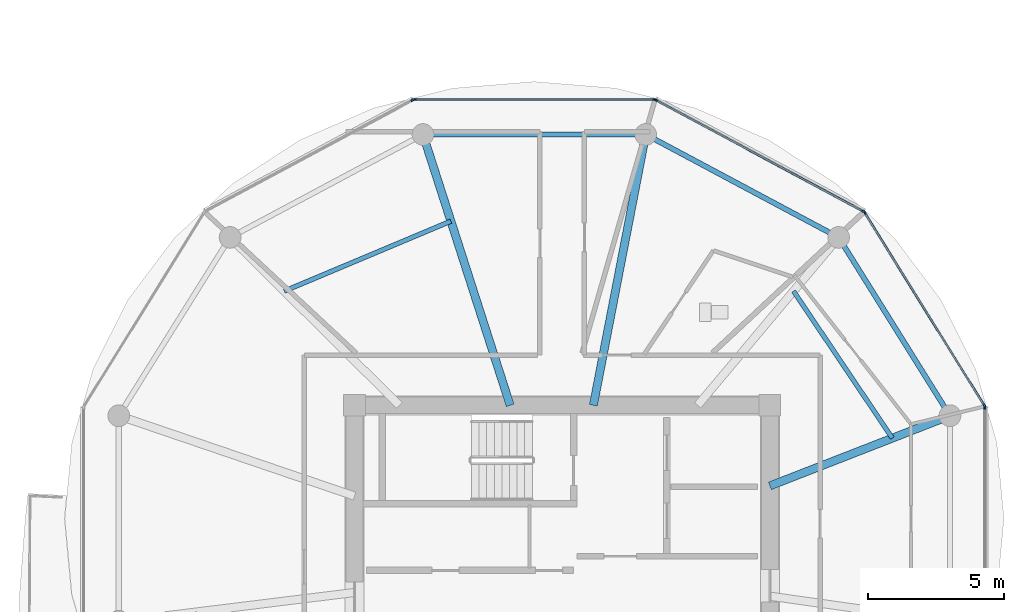
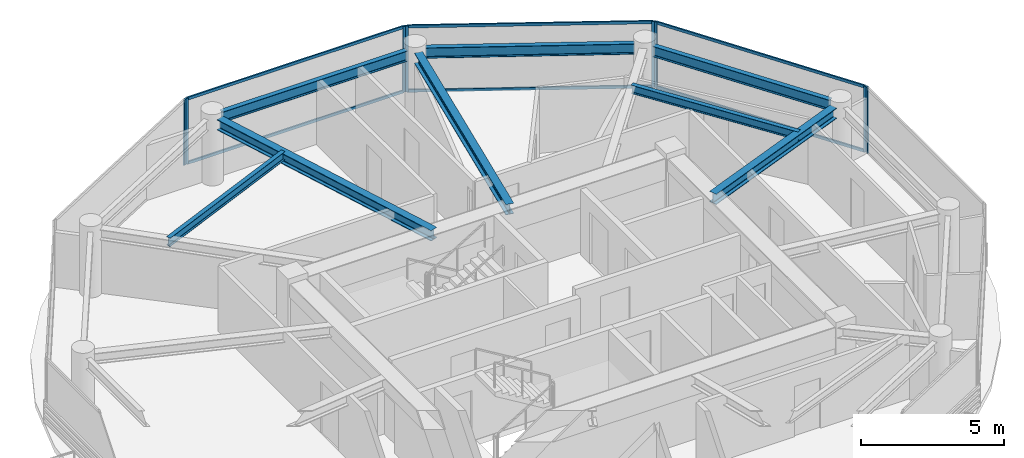
# One storey, part 10 of 21: 14 members, 8 beams, 5 elements without a shape of their own.
"""IFC4 building model written with IfcOpenShell, lengths in metres."""

from ifc_helpers import new_model, si_unit, direction, frame, origin, origin_2d, place, context, subcontext, project, spatial, rectangle, i_section, extrude, source, transform, mapped, material, layer, layer_set, material_profile, profile_set, type_object, type_shapes, element, aggregate, save


model = new_model("IFC4")

# Units and contexts
model_context = context("Model", 3, precision=1e-05, world=origin(), true_north=direction((0.0, 1.0)))
body_context = subcontext(model_context, "Body", "Model", "MODEL_VIEW")
ifc_project = project(units=[si_unit("LENGTHUNIT", "METRE"), si_unit("AREAUNIT", "SQUARE_METRE"), si_unit("VOLUMEUNIT", "CUBIC_METRE"), si_unit("PLANEANGLEUNIT", "RADIAN"), si_unit("MASSUNIT", "GRAM", prefix="KILO")], contexts=[model_context])

# Site, building, storey
site_placement = place(None, origin())
site = spatial("IfcSite", under=ifc_project, at=site_placement, CompositionType="ELEMENT")
building_placement = place(site_placement, origin())
building = spatial("IfcBuilding", under=site, at=building_placement, Name="Norrkilde Senior Care Towers", CompositionType="ELEMENT")
storey_placement = place(building_placement, frame((0.0, 0.0, 146.5)))
storey = spatial("IfcBuildingStorey", under=building, at=storey_placement, Name="L45", CompositionType="ELEMENT", Elevation=146.5)

# Beams
ifc_material_1 = material(Name="Steel S355", Category="steel")
ifc_material_profile_1 = material_profile(ifc_material_1, i_section(OverallWidth=0.18994140625, OverallDepth=0.449951171875, WebThickness=0.009521484375, FlangeThickness=0.0146484375, FilletRadius=0.02099609375, at=origin_2d()), Name="IPE 450")
ifc_profile_set_1 = profile_set([ifc_material_profile_1], Name="Steel S355")
beam_type_1 = type_object("IfcBeamType", Name="Perimeter Ring Spandrel Z3 IPE450", PredefinedType="SPANDREL", material=ifc_profile_set_1)
shared_shape_1 = source(origin(), body_context, "Body", "SweptSolid", [
    extrude(i_section(OverallWidth=0.18994140625, OverallDepth=0.449951171875, WebThickness=0.009521484375, FlangeThickness=0.0146484375, FilletRadius=0.02099609375, at=origin_2d()), origin(), (0.0, 0.0, 1.0), 7.0234375),
])
beam_1_placement = place(storey_placement, frame((42.09423828125, 5.872314453125, 2.5849609375), z_axis=(-0.529789577822, 0.848129119433, 0.0), x_axis=(-0.848129119433, -0.529789577822, 0.0)))
element("IfcBeam", 1, at=beam_1_placement, inside=storey, type_object=beam_type_1, Name="L45 Drum E Perimeter Spandrel 01", PredefinedType="SPANDREL", context=body_context, shape_type="MappedRepresentation", body=[
    mapped(shared_shape_1, transform((0.0, 0.0, 0.0), x_axis=(1.0, 0.0, 0.0), y_axis=(0.0, 1.0, 0.0), z_axis=(0.0, 0.0, 1.0), scale=1.0)),
])
shared_shape_2 = source(origin(), body_context, "Body", "SweptSolid", [
    extrude(i_section(OverallWidth=0.18994140625, OverallDepth=0.449951171875, WebThickness=0.009521484375, FlangeThickness=0.0146484375, FilletRadius=0.02099609375, at=origin_2d()), origin(), (0.0, 0.0, 1.0), 7.333740234375),
])
beam_2_placement = place(storey_placement, frame((37.864990234375, 12.303955078125, 2.5849609375), z_axis=(-0.882247866069, 0.470785198172, 0.0), x_axis=(-0.470785198172, -0.882247866069, 0.0)))
element("IfcBeam", 2, at=beam_2_placement, inside=storey, type_object=beam_type_1, Name="L45 Drum E Perimeter Spandrel 02", PredefinedType="SPANDREL", context=body_context, shape_type="MappedRepresentation", body=[
    mapped(shared_shape_2, transform((0.0, 0.0, 0.0), x_axis=(1.0, 0.0, 0.0), y_axis=(0.0, 1.0, 0.0), z_axis=(0.0, 0.0, 1.0), scale=1.0)),
])
shared_shape_3 = source(origin(), body_context, "Body", "SweptSolid", [
    extrude(i_section(OverallWidth=0.18994140625, OverallDepth=0.449951171875, WebThickness=0.009521484375, FlangeThickness=0.0146484375, FilletRadius=0.02099609375, at=origin_2d()), origin(), (0.0, 0.0, 1.0), 7.484619140625),
])
type_shapes(beam_type_1, [shared_shape_1, shared_shape_2, shared_shape_3])
beam_3_placement = place(storey_placement, frame((30.71728515625, 15.92626953125, 2.5849609375), z_axis=(-1.0, 0.0, 0.0), x_axis=(0.0, -1.0, 0.0)))
element("IfcBeam", 3, at=beam_3_placement, inside=storey, type_object=beam_type_1, Name="L45 Drum E Perimeter Spandrel 03", PredefinedType="SPANDREL", context=body_context, shape_type="MappedRepresentation", body=[
    mapped(shared_shape_3, transform((0.0, 0.0, 0.0), x_axis=(1.0, 0.0, 0.0), y_axis=(0.0, 1.0, 0.0), z_axis=(0.0, 0.0, 1.0), scale=1.0)),
])
ifc_material_profile_2 = material_profile(ifc_material_1, i_section(OverallWidth=0.300048828125, OverallDepth=0.449951171875, WebThickness=0.013916015625, FlangeThickness=0.02587890625, FilletRadius=0.027099609375, at=origin_2d()), Name="HEB 450")
ifc_profile_set_2 = profile_set([ifc_material_profile_2], Name="Steel S355")
beam_type_2 = type_object("IfcBeamType", Name="Radial Floor Beam Z3 HEB450", PredefinedType="BEAM", material=ifc_profile_set_2)
shared_shape_4 = source(origin(), body_context, "Body", "SweptSolid", [
    extrude(i_section(OverallWidth=0.300048828125, OverallDepth=0.449951171875, WebThickness=0.013916015625, FlangeThickness=0.02587890625, FilletRadius=0.027099609375, at=origin_2d()), origin(), (0.0, 0.0, 1.0), 10.120361328125),
])
beam_4_placement = place(storey_placement, frame((26.08447265625, 5.949951171875, 2.5849609375), z_axis=(-0.306440973744, 0.951889662519, 0.0), x_axis=(-0.951889662519, -0.306440973744, 0.0)))
element("IfcBeam", 4, at=beam_4_placement, inside=storey, type_object=beam_type_2, Name="L45 Drum E Radial Floor Beam 04", PredefinedType="BEAM", context=body_context, shape_type="MappedRepresentation", body=[
    mapped(shared_shape_4, transform((0.0, 0.0, 0.0), x_axis=(1.0, 0.0, 0.0), y_axis=(0.0, 1.0, 0.0), z_axis=(0.0, 0.0, 1.0), scale=1.0)),
])
shared_shape_5 = source(origin(), body_context, "Body", "SweptSolid", [
    extrude(i_section(OverallWidth=0.300048828125, OverallDepth=0.449951171875, WebThickness=0.013916015625, FlangeThickness=0.02587890625, FilletRadius=0.027099609375, at=origin_2d()), origin(), (0.0, 0.0, 1.0), 9.80078125),
])
beam_5_placement = place(storey_placement, frame((29.149658203125, 5.949951171875, 2.5849609375), z_axis=(0.189716727661, 0.98183886827, 0.0), x_axis=(-0.98183886827, 0.189716727661, 0.0)))
element("IfcBeam", 5, at=beam_5_placement, inside=storey, type_object=beam_type_2, Name="L45 Drum E Radial Floor Beam 03", PredefinedType="BEAM", context=body_context, shape_type="MappedRepresentation", body=[
    mapped(shared_shape_5, transform((0.0, 0.0, 0.0), x_axis=(1.0, 0.0, 0.0), y_axis=(0.0, 1.0, 0.0), z_axis=(0.0, 0.0, 1.0), scale=1.0)),
])
shared_shape_6 = source(origin(), body_context, "Body", "SweptSolid", [
    extrude(i_section(OverallWidth=0.300048828125, OverallDepth=0.449951171875, WebThickness=0.013916015625, FlangeThickness=0.02587890625, FilletRadius=0.027099609375, at=origin_2d()), origin(), (0.0, 0.0, 1.0), 6.760986328125),
])
type_shapes(beam_type_2, [shared_shape_4, shared_shape_5, shared_shape_6])
beam_6_placement = place(storey_placement, frame((35.64990234375, 2.981201171875, 2.5849609375), z_axis=(0.931742171387, 0.363120539297, 0.0), x_axis=(-0.363120539297, 0.931742171387, 0.0)))
element("IfcBeam", 6, at=beam_6_placement, inside=storey, type_object=beam_type_2, Name="L45 Drum E Radial Floor Beam 01", PredefinedType="BEAM", context=body_context, shape_type="MappedRepresentation", body=[
    mapped(shared_shape_6, transform((0.0, 0.0, 0.0), x_axis=(1.0, 0.0, 0.0), y_axis=(0.0, 1.0, 0.0), z_axis=(0.0, 0.0, 1.0), scale=1.0)),
])
ifc_material_profile_3 = material_profile(ifc_material_1, i_section(OverallWidth=0.169921875, OverallDepth=0.360107421875, WebThickness=0.008056640625, FlangeThickness=0.0126953125, FilletRadius=0.01806640625, at=origin_2d()), Name="IPE 360")
ifc_profile_set_3 = profile_set([ifc_material_profile_3], Name="Steel S355")
beam_type_3 = type_object("IfcBeamType", Name="Secondary Floor Joist IPE360", PredefinedType="JOIST", material=ifc_profile_set_3)
shared_shape_7 = source(origin(), body_context, "Body", "SweptSolid", [
    extrude(i_section(OverallWidth=0.169921875, OverallDepth=0.360107421875, WebThickness=0.008056640625, FlangeThickness=0.0126953125, FilletRadius=0.01806640625, at=origin_2d()), origin(), (0.0, 0.0, 1.0), 6.657470703125),
])
beam_7_placement = place(storey_placement, frame((23.900390625, 12.73388671875, 2.6298828125), z_axis=(-0.921958799252, -0.387287971, 0.0), x_axis=(0.387287971, -0.921958799252, 0.0)))
element("IfcBeam", 7, at=beam_7_placement, inside=storey, type_object=beam_type_3, Name="L45 Drum E Secondary Floor Joist 2", PredefinedType="JOIST", context=body_context, shape_type="MappedRepresentation", body=[
    mapped(shared_shape_7, transform((0.0, 0.0, 0.0), x_axis=(1.0, 0.0, 0.0), y_axis=(0.0, 1.0, 0.0), z_axis=(0.0, 0.0, 1.0), scale=1.0)),
])
shared_shape_8 = source(origin(), body_context, "Body", "SweptSolid", [
    extrude(i_section(OverallWidth=0.169921875, OverallDepth=0.360107421875, WebThickness=0.008056640625, FlangeThickness=0.0126953125, FilletRadius=0.01806640625, at=origin_2d()), origin(), (0.0, 0.0, 1.0), 6.525390625),
])
type_shapes(beam_type_3, [shared_shape_7, shared_shape_8])
beam_8_placement = place(storey_placement, frame((40.161865234375, 4.739501953125, 2.6298828125), z_axis=(-0.55779590102, 0.829978152005, 0.0), x_axis=(-0.829978152005, -0.55779590102, 0.0)))
element("IfcBeam", 8, at=beam_8_placement, inside=storey, type_object=beam_type_3, Name="L45 Drum E Secondary Floor Joist 1", PredefinedType="JOIST", context=body_context, shape_type="MappedRepresentation", body=[
    mapped(shared_shape_8, transform((0.0, 0.0, 0.0), x_axis=(1.0, 0.0, 0.0), y_axis=(0.0, 1.0, 0.0), z_axis=(0.0, 0.0, 1.0), scale=1.0)),
])

# Curtain wall, members
ifc_material_2 = material(Name="Triple Low-E Insulated Glazing", Category="glass")
ifc_layer = layer(ifc_material_2, 0.18994140625)
ifc_layer_set = layer_set([ifc_layer], Name="Triple Low-E Insulated Glazing")
curtain_wall_type = type_object("IfcCurtainWallType", Name="CW4 Zone 3 Senior Residence Curtain Wall", PredefinedType="NOTDEFINED", material=ifc_layer_set)
curtain_wall_1_placement = place(storey_placement, origin())
curtain_wall_1 = element("IfcCurtainWall", 9, at=curtain_wall_1_placement, inside=storey, type_object=curtain_wall_type, Name="L45 Drum E Curtain Wall 00", PredefinedType="NOTDEFINED")
ifc_material_3 = material(Name="Anodised Aluminium", Category="aluminium")
ifc_material_profile_4 = material_profile(ifc_material_3, rectangle(XDim=0.06494140625, YDim=0.14990234375, at=origin_2d()), Name="ALU MULL 65x150")
ifc_profile_set_4 = profile_set([ifc_material_profile_4], Name="Anodised Aluminium")
member_type_1 = type_object("IfcMemberType", Name="Curtain Wall Mullion Z3-Z4 65x150", PredefinedType="MULLION", material=ifc_profile_set_4)
shared_shape_9 = source(origin(), body_context, "Body", "SweptSolid", [
    extrude(rectangle(XDim=0.06494140625, YDim=0.14990234375, at=origin_2d()), origin(), (0.0, 0.0, 1.0), 2.81005859375),
])
type_shapes(member_type_1, [shared_shape_9])
member_1_placement = place(storey_placement, frame((39.14013671875, 13.04736328125, 0.0), z_axis=(0.0, 0.0, 1.0), x_axis=(0.84963405474, 0.52737270789, 0.0)))
member_1 = element("IfcMember", 10, at=member_1_placement, type_object=member_type_1, Name="CW-4 mullion 1", PredefinedType="MULLION", context=body_context, shape_type="MappedRepresentation", body=[
    mapped(shared_shape_9, transform((0.0, 0.0, 0.0), x_axis=(1.0, 0.0, 0.0), y_axis=(0.0, 1.0, 0.0), z_axis=(0.0, 0.0, 1.0), scale=1.0)),
])
member_2_placement = place(storey_placement, frame((43.552490234375, 5.93896484375, 0.0), z_axis=(0.0, 0.0, 1.0), x_axis=(0.84963405474, 0.52737270789, 0.0)))
member_2 = element("IfcMember", 11, at=member_2_placement, type_object=member_type_1, Name="CW-4 mullion 2", PredefinedType="MULLION", context=body_context, shape_type="MappedRepresentation", body=[
    mapped(shared_shape_9, transform((0.0, 0.0, 0.0), x_axis=(1.0, 0.0, 0.0), y_axis=(0.0, 1.0, 0.0), z_axis=(0.0, 0.0, 1.0), scale=1.0)),
])

curtain_wall_2_placement = place(storey_placement, origin())
curtain_wall_2 = element("IfcCurtainWall", 12, at=curtain_wall_2_placement, inside=storey, type_object=curtain_wall_type, Name="L45 Drum E Curtain Wall 01", PredefinedType="NOTDEFINED")
member_3_placement = place(storey_placement, frame((31.4501953125, 17.195556640625, 0.0), z_axis=(0.0, 0.0, 1.0), x_axis=(0.47311715104, 0.880999524059, 0.0)))
member_3 = element("IfcMember", 13, at=member_3_placement, type_object=member_type_1, Name="CW-4 mullion 1", PredefinedType="MULLION", context=body_context, shape_type="MappedRepresentation", body=[
    mapped(shared_shape_9, transform((0.0, 0.0, 0.0), x_axis=(1.0, 0.0, 0.0), y_axis=(0.0, 1.0, 0.0), z_axis=(0.0, 0.0, 1.0), scale=1.0)),
])
member_4_placement = place(storey_placement, frame((39.094482421875, 13.09033203125, 0.0), z_axis=(0.0, 0.0, 1.0), x_axis=(0.47311715104, 0.880999524059, 0.0)))
member_4 = element("IfcMember", 14, at=member_4_placement, type_object=member_type_1, Name="CW-4 mullion 2", PredefinedType="MULLION", context=body_context, shape_type="MappedRepresentation", body=[
    mapped(shared_shape_9, transform((0.0, 0.0, 0.0), x_axis=(1.0, 0.0, 0.0), y_axis=(0.0, 1.0, 0.0), z_axis=(0.0, 0.0, 1.0), scale=1.0)),
])

curtain_wall_3_placement = place(storey_placement, origin())
curtain_wall_3 = element("IfcCurtainWall", 15, at=curtain_wall_3_placement, inside=storey, type_object=curtain_wall_type, Name="L45 Drum E Curtain Wall 02", PredefinedType="NOTDEFINED")
member_5_placement = place(storey_placement, frame((22.56103515625, 17.2109375, 0.0), z_axis=(0.0, 0.0, 1.0), x_axis=(0.0, 1.0, 0.0)))
member_5 = element("IfcMember", 16, at=member_5_placement, type_object=member_type_1, Name="CW-4 mullion 1", PredefinedType="MULLION", context=body_context, shape_type="MappedRepresentation", body=[
    mapped(shared_shape_9, transform((0.0, 0.0, 0.0), x_axis=(1.0, 0.0, 0.0), y_axis=(0.0, 1.0, 0.0), z_axis=(0.0, 0.0, 1.0), scale=1.0)),
])
member_6_placement = place(storey_placement, frame((31.388916015625, 17.2109375, 0.0), z_axis=(0.0, 0.0, 1.0), x_axis=(0.0, 1.0, 0.0)))
member_6 = element("IfcMember", 17, at=member_6_placement, type_object=member_type_1, Name="CW-4 mullion 2", PredefinedType="MULLION", context=body_context, shape_type="MappedRepresentation", body=[
    mapped(shared_shape_9, transform((0.0, 0.0, 0.0), x_axis=(1.0, 0.0, 0.0), y_axis=(0.0, 1.0, 0.0), z_axis=(0.0, 0.0, 1.0), scale=1.0)),
])

# Curtain wall, member
curtain_wall_4_placement = place(storey_placement, origin())
curtain_wall_4 = element("IfcCurtainWall", 18, at=curtain_wall_4_placement, inside=storey, type_object=curtain_wall_type, Name="L45 Drum E Curtain Wall 03", PredefinedType="NOTDEFINED")
member_7_placement = place(storey_placement, frame((22.499755859375, 17.195556640625, 0.0), z_axis=(0.0, 0.0, 1.0), x_axis=(-0.47311715104, 0.880999524059, 0.0)))
member_7 = element("IfcMember", 19, at=member_7_placement, type_object=member_type_1, Name="CW-4 mullion 2", PredefinedType="MULLION", context=body_context, shape_type="MappedRepresentation", body=[
    mapped(shared_shape_9, transform((0.0, 0.0, 0.0), x_axis=(1.0, 0.0, 0.0), y_axis=(0.0, 1.0, 0.0), z_axis=(0.0, 0.0, 1.0), scale=1.0)),
])
aggregate(curtain_wall_4, [member_7])

curtain_wall_5_placement = place(storey_placement, origin())
curtain_wall_5 = element("IfcCurtainWall", 20, at=curtain_wall_5_placement, inside=storey, type_object=curtain_wall_type, Name="L45 Drum E Curtain Wall 11", PredefinedType="NOTDEFINED")
member_8_placement = place(storey_placement, frame((43.569580078125, 5.878662109375, 0.0), z_axis=(0.0, 0.0, 1.0), x_axis=(1.0, 0.0, 0.0)))
member_8 = element("IfcMember", 21, at=member_8_placement, type_object=member_type_1, Name="CW-4 mullion 1", PredefinedType="MULLION", context=body_context, shape_type="MappedRepresentation", body=[
    mapped(shared_shape_9, transform((0.0, 0.0, 0.0), x_axis=(1.0, 0.0, 0.0), y_axis=(0.0, 1.0, 0.0), z_axis=(0.0, 0.0, 1.0), scale=1.0)),
])
aggregate(curtain_wall_5, [member_8])

# Member
ifc_material_profile_5 = material_profile(ifc_material_3, rectangle(XDim=0.06005859375, YDim=0.1201171875, at=origin_2d()), Name="ALU TRAN 60x120")
ifc_profile_set_5 = profile_set([ifc_material_profile_5], Name="Anodised Aluminium")
member_type_2 = type_object("IfcMemberType", Name="Curtain Wall Transom Typical 60x120", PredefinedType="USERDEFINED", material=ifc_profile_set_5)
shared_shape_10 = source(origin(), body_context, "Body", "SweptSolid", [
    extrude(rectangle(XDim=0.06005859375, YDim=0.1201171875, at=origin_2d()), origin(), (0.0, 0.0, 1.0), 8.301513671875),
])
member_9_placement = place(storey_placement, frame((39.157470703125, 13.019775390625, 0.030029296875), z_axis=(0.527368718394, -0.849636531029, 0.0), x_axis=(0.849636531029, 0.527368718394, 0.0)))
member_9 = element("IfcMember", 22, at=member_9_placement, type_object=member_type_2, Name="CW-4 transom 1.1", ObjectType="TRANSOM", PredefinedType="USERDEFINED", context=body_context, shape_type="MappedRepresentation", body=[
    mapped(shared_shape_10, transform((0.0, 0.0, 0.0), x_axis=(1.0, 0.0, 0.0), y_axis=(0.0, 1.0, 0.0), z_axis=(0.0, 0.0, 1.0), scale=1.0)),
])

member_10_placement = place(storey_placement, frame((39.157470703125, 13.019775390625, 2.780029296875), z_axis=(0.527368718394, -0.849636531029, 0.0), x_axis=(0.849636531029, 0.527368718394, 0.0)))
member_10 = element("IfcMember", 23, at=member_10_placement, type_object=member_type_2, Name="CW-4 transom 1.2", ObjectType="TRANSOM", PredefinedType="USERDEFINED", context=body_context, shape_type="MappedRepresentation", body=[
    mapped(shared_shape_10, transform((0.0, 0.0, 0.0), x_axis=(1.0, 0.0, 0.0), y_axis=(0.0, 1.0, 0.0), z_axis=(0.0, 0.0, 1.0), scale=1.0)),
])

aggregate(curtain_wall_1, [member_1, member_2, member_9, member_10])

shared_shape_11 = source(origin(), body_context, "Body", "SweptSolid", [
    extrude(rectangle(XDim=0.06005859375, YDim=0.1201171875, at=origin_2d()), origin(), (0.0, 0.0, 1.0), 8.762939453125),
])
member_11_placement = place(storey_placement, frame((22.593505859375, 17.2109375, 0.030029296875), z_axis=(1.0, 0.0, 0.0), x_axis=(0.0, 1.0, 0.0)))
member_11 = element("IfcMember", 24, at=member_11_placement, type_object=member_type_2, Name="CW-4 transom 1.1", ObjectType="TRANSOM", PredefinedType="USERDEFINED", context=body_context, shape_type="MappedRepresentation", body=[
    mapped(shared_shape_11, transform((0.0, 0.0, 0.0), x_axis=(1.0, 0.0, 0.0), y_axis=(0.0, 1.0, 0.0), z_axis=(0.0, 0.0, 1.0), scale=1.0)),
])

member_12_placement = place(storey_placement, frame((22.593505859375, 17.2109375, 2.780029296875), z_axis=(1.0, 0.0, 0.0), x_axis=(0.0, 1.0, 0.0)))
member_12 = element("IfcMember", 25, at=member_12_placement, type_object=member_type_2, Name="CW-4 transom 1.2", ObjectType="TRANSOM", PredefinedType="USERDEFINED", context=body_context, shape_type="MappedRepresentation", body=[
    mapped(shared_shape_11, transform((0.0, 0.0, 0.0), x_axis=(1.0, 0.0, 0.0), y_axis=(0.0, 1.0, 0.0), z_axis=(0.0, 0.0, 1.0), scale=1.0)),
])

aggregate(curtain_wall_3, [member_5, member_6, member_11, member_12])

shared_shape_12 = source(origin(), body_context, "Body", "SweptSolid", [
    extrude(rectangle(XDim=0.06005859375, YDim=0.1201171875, at=origin_2d()), origin(), (0.0, 0.0, 1.0), 8.612060546875),
])
type_shapes(member_type_2, [shared_shape_10, shared_shape_11, shared_shape_12])
member_13_placement = place(storey_placement, frame((31.478759765625, 17.18017578125, 0.030029296875), z_axis=(0.881000337462, -0.473115636384, 0.0), x_axis=(0.473115636384, 0.881000337462, 0.0)))
member_13 = element("IfcMember", 26, at=member_13_placement, type_object=member_type_2, Name="CW-4 transom 1.1", ObjectType="TRANSOM", PredefinedType="USERDEFINED", context=body_context, shape_type="MappedRepresentation", body=[
    mapped(shared_shape_12, transform((0.0, 0.0, 0.0), x_axis=(1.0, 0.0, 0.0), y_axis=(0.0, 1.0, 0.0), z_axis=(0.0, 0.0, 1.0), scale=1.0)),
])

member_14_placement = place(storey_placement, frame((31.478759765625, 17.18017578125, 2.780029296875), z_axis=(0.881000337462, -0.473115636384, 0.0), x_axis=(0.473115636384, 0.881000337462, 0.0)))
member_14 = element("IfcMember", 27, at=member_14_placement, type_object=member_type_2, Name="CW-4 transom 1.2", ObjectType="TRANSOM", PredefinedType="USERDEFINED", context=body_context, shape_type="MappedRepresentation", body=[
    mapped(shared_shape_12, transform((0.0, 0.0, 0.0), x_axis=(1.0, 0.0, 0.0), y_axis=(0.0, 1.0, 0.0), z_axis=(0.0, 0.0, 1.0), scale=1.0)),
])

aggregate(curtain_wall_2, [member_3, member_4, member_13, member_14])

save(model, "model.ifc")
